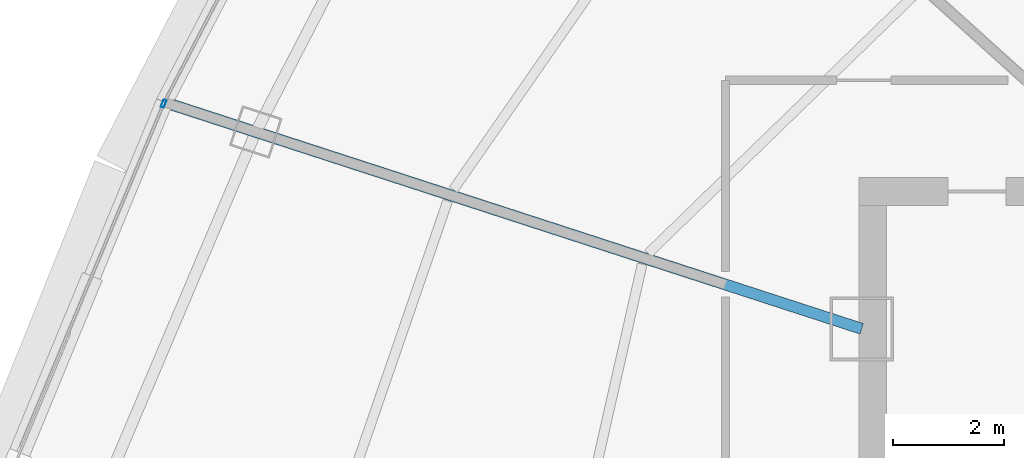
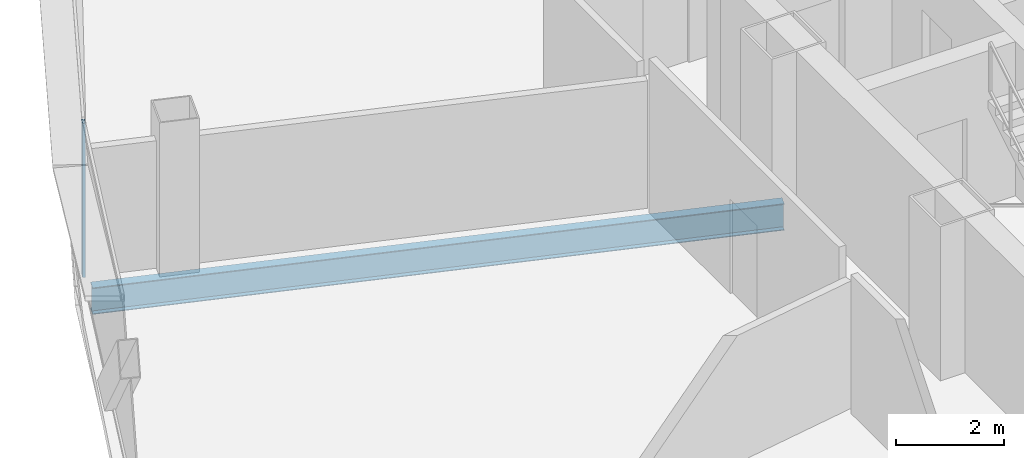
# One storey, part 8 of 33: 1 beam, 1 member, 1 element without a shape of its own.
"""IFC4 building model written with IfcOpenShell, lengths in metres."""

from ifc_helpers import new_model, si_unit, direction, frame, origin, origin_2d, place, context, subcontext, project, spatial, hollow_rectangle, i_section, extrude, source, transform, mapped, material, layer, layer_set, material_profile, profile_set, type_object, element, aggregate, save


model = new_model("IFC4")

# Units and contexts
model_context = context("Model", 3, precision=1e-05, world=origin(), true_north=direction((0.0, 1.0)))
body_context = subcontext(model_context, "Body", "Model", "MODEL_VIEW")
ifc_project = project(units=[si_unit("LENGTHUNIT", "METRE"), si_unit("AREAUNIT", "SQUARE_METRE"), si_unit("VOLUMEUNIT", "CUBIC_METRE"), si_unit("PLANEANGLEUNIT", "RADIAN"), si_unit("MASSUNIT", "GRAM", prefix="KILO"), si_unit("THERMODYNAMICTEMPERATUREUNIT", "KELVIN"), si_unit("POWERUNIT", "WATT")], contexts=[model_context])

# Site, building, storey
site_placement = place(None, origin())
site = spatial("IfcSite", under=ifc_project, at=site_placement, CompositionType="ELEMENT")
building_placement = place(site_placement, origin())
building = spatial("IfcBuilding", under=site, at=building_placement, Name="Yunzhuo Pagoda Commons", CompositionType="ELEMENT")
storey_placement = place(building_placement, frame((0.0, 0.0, 307.39990234375)))
storey = spatial("IfcBuildingStorey", under=building, at=storey_placement, Name="L77", CompositionType="ELEMENT", Elevation=307.39990234375)

# Beam
ifc_material_1 = material(Name="Structural steel Q355B", Category="steel")
ifc_material_profile_1 = material_profile(ifc_material_1, i_section(OverallWidth=0.199951171875, OverallDepth=0.60009765625, WebThickness=0.010986328125, FlangeThickness=0.01708984375, at=origin_2d()), Name="Structural steel Q355B")
ifc_profile_set_1 = profile_set([ifc_material_profile_1], Name="Structural steel Q355B")
beam_type = type_object("IfcBeamType", Name="B-RG3 Beam HN 600x200x11x17", PredefinedType="BEAM", material=ifc_profile_set_1)
shared_shape_1 = source(origin(), body_context, "Body", "SweptSolid", [
    extrude(i_section(OverallWidth=0.199951171875, OverallDepth=0.60009765625, WebThickness=0.010986328125, FlangeThickness=0.01708984375, at=origin_2d()), origin(), (0.0, 0.0, 1.0), 13.040771484375),
])
beam_placement = place(storey_placement, frame((23.197509765625, 41.7587890625, -0.559814453125), z_axis=(0.951057866972, -0.30901283739, 0.0), x_axis=(0.30901283739, 0.951057866972, 0.0)))
element("IfcBeam", 1, at=beam_placement, inside=storey, type_object=beam_type, Name="L77 radial floor girder F3C3", PredefinedType="BEAM", context=body_context, shape_type="MappedRepresentation", body=[
    mapped(shared_shape_1, transform((0.0, 0.0, 0.0), scale=1.0)),
])

# Curtain wall, member
ifc_material_2 = material(Name="Anodized aluminium 6063-T6", Category="aluminium")
ifc_layer = layer(ifc_material_2, 0.139892578125)
ifc_layer_set = layer_set([ifc_layer], Name="Anodized aluminium 6063-T6")
curtain_wall_type = type_object("IfcCurtainWallType", Name="CW-HI High-Zone Ribbon Curtain Wall", PredefinedType="NOTDEFINED", material=ifc_layer_set)
curtain_wall_placement = place(storey_placement, origin())
curtain_wall = element("IfcCurtainWall", 2, at=curtain_wall_placement, inside=storey, type_object=curtain_wall_type, Name="L77 curtain wall CW-L77-F3B4", PredefinedType="NOTDEFINED")
ifc_material_profile_2 = material_profile(ifc_material_2, hollow_rectangle(XDim=0.06005859375, YDim=0.139892578125, WallThickness=0.00341796875, at=origin_2d()), Name="Anodized aluminium 6063-T6")
ifc_profile_set_2 = profile_set([ifc_material_profile_2], Name="Anodized aluminium 6063-T6")
member_type = type_object("IfcMemberType", Name="CW-HI-M Mullion RHS 140x60x3.5", PredefinedType="MULLION", material=ifc_profile_set_2)
shared_shape_2 = source(origin(), body_context, "Body", "SweptSolid", [
    extrude(hollow_rectangle(XDim=0.06005859375, YDim=0.139892578125, WallThickness=0.00341796875, at=origin_2d()), origin(), (0.0, 0.0, 1.0), 3.47021484375),
])
member_placement = place(storey_placement, frame((23.038330078125, 41.779052734375, 0.0), z_axis=(0.0, 0.0, 1.0), x_axis=(0.922876210298, -0.385096741697, 0.0)))
member = element("IfcMember", 3, at=member_placement, type_object=member_type, Name="CW mullion 1", PredefinedType="MULLION", context=body_context, shape_type="MappedRepresentation", body=[
    mapped(shared_shape_2, transform((0.0, 0.0, 0.0), scale=1.0)),
])
aggregate(curtain_wall, [member])

save(model, "model.ifc")
